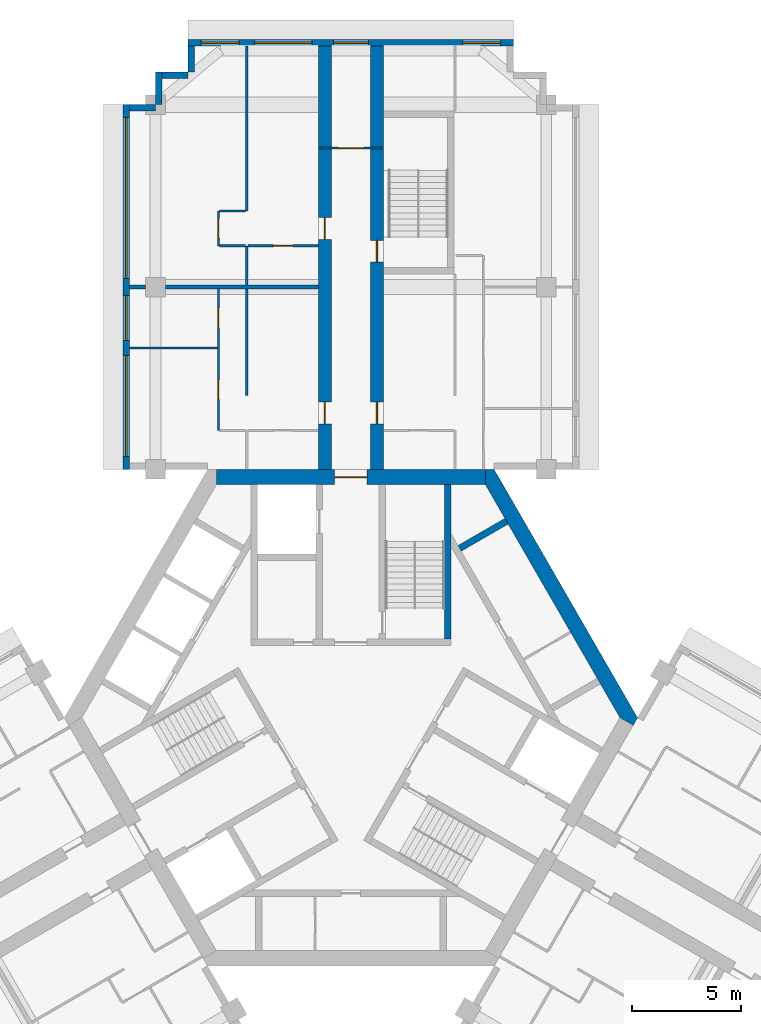
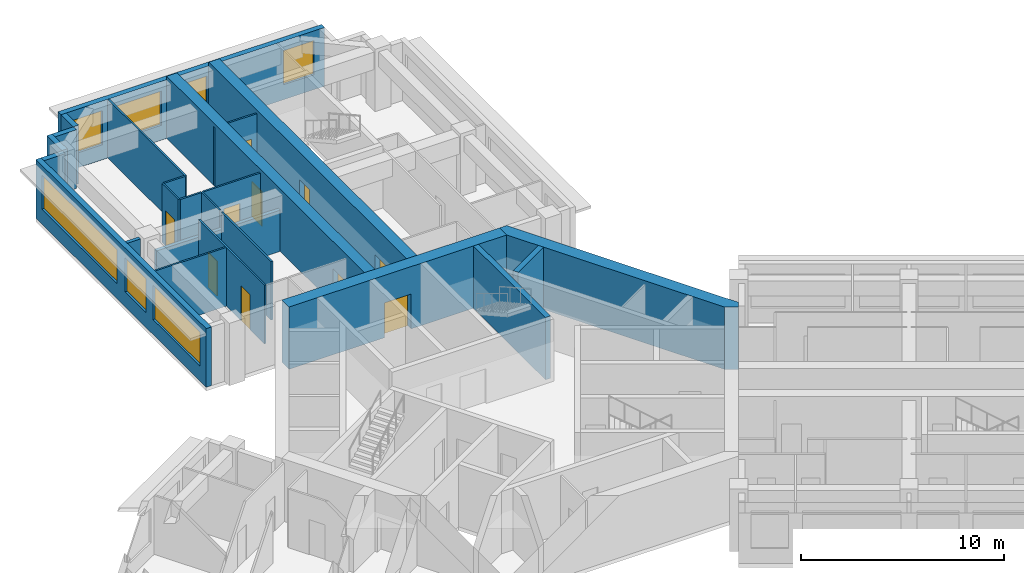
# One storey, part 7 of 10: 24 walls, 10 doors, 7 windows, 17 openings.
"""IFC4 building model written with IfcOpenShell, lengths in metres."""

from ifc_helpers import new_model, si_unit, direction, frame, frame_2d, origin, place, context, subcontext, project, spatial, polyline, rectangle, outline, extrude, material, layer, layer_set, type_object, element, fill, save


model = new_model("IFC4")

# Units and contexts
model_context = context("Model", 3, precision=1e-05, world=origin(), true_north=direction((0.0, 1.0)))
body_context = subcontext(model_context, "Body", "Model", "MODEL_VIEW")
ifc_project = project(units=[si_unit("LENGTHUNIT", "METRE"), si_unit("AREAUNIT", "SQUARE_METRE"), si_unit("VOLUMEUNIT", "CUBIC_METRE"), si_unit("PLANEANGLEUNIT", "RADIAN"), si_unit("MASSUNIT", "GRAM", prefix="KILO")], contexts=[model_context])

# Site, building, storey
site_placement = place(None, origin())
site = spatial("IfcSite", under=ifc_project, at=site_placement, CompositionType="ELEMENT")
building_placement = place(site_placement, origin())
building = spatial("IfcBuilding", under=site, at=building_placement, Name="Impinga Residences", CompositionType="ELEMENT")
storey_placement = place(building_placement, frame((0.0, 0.0, 222.25)))
storey = spatial("IfcBuildingStorey", under=building, at=storey_placement, Name="L55", CompositionType="ELEMENT", Elevation=222.25)

# Wall, openings, doors
ifc_material_1 = material(Name="Concrete C60/75", Category="concrete")
ifc_layer_1 = layer(ifc_material_1, 0.60009765625)
ifc_layer_set_1 = layer_set([ifc_layer_1], Name="Concrete C60/75")
wall_type_1 = type_object("IfcWallType", Name="BW3 corridor buttress wall, L46 to L73 600", PredefinedType="SHEAR", material=ifc_layer_set_1)
wall_1_placement = place(storey_placement, frame((-1.199951171875, 11.08154296875, 0.0), z_axis=(0.0, 0.0, 1.0), x_axis=(0.0, 1.0, 0.0)))
wall_1 = element("IfcWall", 1, at=wall_1_placement, inside=storey, type_object=wall_type_1, Name="Corridor wall BW3 NC L55", PredefinedType="SHEAR", context=body_context, shape_type="SweptSolid", body=[
    extrude(rectangle(XDim=19.85009765625, YDim=0.60009765625, at=frame_2d((9.925048828125, 0.0))), origin(), (0.0, 0.0, 1.0), 3.75),
])
opening_1_placement = place(wall_1_placement, frame((2.449951171875, 0.0, 0.0)))
opening_1 = element("IfcOpeningElement", 2, at=opening_1_placement, cuts=wall_1, Name="Opening D1", PredefinedType="OPENING", context=body_context, shape_type="SweptSolid", body=[
    extrude(rectangle(XDim=1.0, YDim=2.10009765625, at=frame_2d((0.5, 1.050048828125))), frame((0.0, 0.31005859375, 0.0), z_axis=(0.0, -1.0, 0.0), x_axis=(1.0, 0.0, 0.0)), (0.0, 0.0, 1.0), 0.6201171875),
])
opening_2_placement = place(wall_1_placement, frame((10.949951171875, 0.0, 0.0)))
opening_2 = element("IfcOpeningElement", 3, at=opening_2_placement, cuts=wall_1, Name="Opening D1", PredefinedType="OPENING", context=body_context, shape_type="SweptSolid", body=[
    extrude(rectangle(XDim=1.0, YDim=2.10009765625, at=frame_2d((0.5, 1.050048828125))), frame((0.0, 0.31005859375, 0.0), z_axis=(0.0, -1.0, 0.0), x_axis=(1.0, 0.0, 0.0)), (0.0, 0.0, 1.0), 0.6201171875),
])
ifc_material_2 = material(Name="Timber door set", Category="wood")
door_type_1 = type_object("IfcDoorType", Name="D1 apartment entrance door 1000x2100", OperationType="SINGLE_SWING_LEFT", PredefinedType="DOOR", material=ifc_material_2)
door_1_placement = place(opening_1_placement, origin())
door_1 = element("IfcDoor", 4, at=door_1_placement, inside=storey, type_object=door_type_1, Name="Apartment L55-NA1 entrance", OperationType="SINGLE_SWING_LEFT", OverallHeight=2.10009765625, OverallWidth=1.0, PredefinedType="DOOR", context=body_context, shape_type="SweptSolid", body=[
    extrude(rectangle(XDim=1.0, YDim=2.10009765625, at=frame_2d((0.5, 1.050048828125))), frame((0.0, 0.02490234375, 0.0), z_axis=(0.0, -1.0, 0.0), x_axis=(1.0, 0.0, 0.0)), (0.0, 0.0, 1.0), 0.050048828125),
])
fill(opening_1, door_1)
door_2_placement = place(opening_2_placement, origin())
door_2 = element("IfcDoor", 5, at=door_2_placement, inside=storey, type_object=door_type_1, Name="Apartment L55-NA2 entrance", OperationType="SINGLE_SWING_RIGHT", OverallHeight=2.10009765625, OverallWidth=1.0, PredefinedType="DOOR", context=body_context, shape_type="SweptSolid", body=[
    extrude(rectangle(XDim=1.0, YDim=2.10009765625, at=frame_2d((0.5, 1.050048828125))), frame((0.0, 0.02490234375, 0.0), z_axis=(0.0, -1.0, 0.0), x_axis=(1.0, 0.0, 0.0)), (0.0, 0.0, 1.0), 0.050048828125),
])
fill(opening_2, door_2)

wall_2_placement = place(storey_placement, frame((1.199951171875, 11.08154296875, 0.0), z_axis=(0.0, 0.0, 1.0), x_axis=(0.0, 1.0, 0.0)))
wall_2 = element("IfcWall", 6, at=wall_2_placement, inside=storey, type_object=wall_type_1, Name="Corridor wall BW3 ND L55", PredefinedType="SHEAR", context=body_context, shape_type="SweptSolid", body=[
    extrude(rectangle(XDim=19.85009765625, YDim=0.60009765625, at=frame_2d((9.925048828125, 0.0))), origin(), (0.0, 0.0, 1.0), 3.75),
])
opening_3_placement = place(wall_2_placement, frame((9.89990234375, 0.0, 0.0)))
opening_3 = element("IfcOpeningElement", 7, at=opening_3_placement, cuts=wall_2, Name="Opening D5", PredefinedType="OPENING", context=body_context, shape_type="SweptSolid", body=[
    extrude(rectangle(XDim=1.0, YDim=2.10009765625, at=frame_2d((0.5, 1.050048828125))), frame((0.0, 0.31005859375, 0.0), z_axis=(0.0, -1.0, 0.0), x_axis=(1.0, 0.0, 0.0)), (0.0, 0.0, 1.0), 0.6201171875),
])
opening_4_placement = place(wall_2_placement, frame((2.449951171875, 0.0, 0.0)))
opening_4 = element("IfcOpeningElement", 8, at=opening_4_placement, cuts=wall_2, Name="Opening D1", PredefinedType="OPENING", context=body_context, shape_type="SweptSolid", body=[
    extrude(rectangle(XDim=1.0, YDim=2.10009765625, at=frame_2d((0.5, 1.050048828125))), frame((0.0, 0.31005859375, 0.0), z_axis=(0.0, -1.0, 0.0), x_axis=(1.0, 0.0, 0.0)), (0.0, 0.0, 1.0), 0.6201171875),
])
door_3_placement = place(opening_4_placement, origin())
door_3 = element("IfcDoor", 9, at=door_3_placement, inside=storey, type_object=door_type_1, Name="Apartment L55-NF1 entrance", OperationType="SINGLE_SWING_LEFT", OverallHeight=2.10009765625, OverallWidth=1.0, PredefinedType="DOOR", context=body_context, shape_type="SweptSolid", body=[
    extrude(rectangle(XDim=1.0, YDim=2.10009765625, at=frame_2d((0.5, 1.050048828125))), frame((0.0, 0.02490234375, 0.0), z_axis=(0.0, -1.0, 0.0), x_axis=(1.0, 0.0, 0.0)), (0.0, 0.0, 1.0), 0.050048828125),
])
fill(opening_4, door_3)
door_type_2 = type_object("IfcDoorType", Name="D5 stair door 1000x2100", OperationType="SINGLE_SWING_LEFT", PredefinedType="DOOR", material=ifc_material_2)
door_4_placement = place(opening_3_placement, origin())
door_4 = element("IfcDoor", 10, at=door_4_placement, inside=storey, type_object=door_type_2, Name="Wing stair door N", OperationType="SINGLE_SWING_RIGHT", OverallHeight=2.10009765625, OverallWidth=1.0, PredefinedType="DOOR", context=body_context, shape_type="SweptSolid", body=[
    extrude(rectangle(XDim=1.0, YDim=2.10009765625, at=frame_2d((0.5, 1.050048828125))), frame((0.0, 0.02490234375, 0.0), z_axis=(0.0, -1.0, 0.0), x_axis=(1.0, 0.0, 0.0)), (0.0, 0.0, 1.0), 0.050048828125),
])
fill(opening_3, door_4)

# Wall, opening, door
ifc_material_3 = material(Name="Concrete blockwork", Category="masonry")
ifc_layer_2 = layer(ifc_material_3, 0.10009765625)
ifc_layer_set_2 = layer_set([ifc_layer_2], Name="CP1 core room partition, blockwork 100")
wall_type_2 = type_object("IfcWallType", Name="CP1 core room partition, blockwork 100", PredefinedType="PARTITIONING", material=ifc_layer_set_2)
wall_3_placement = place(storey_placement, frame((-1.5, 26.2314453125, 0.0), z_axis=(0.0, 0.0, 1.0), x_axis=(1.0, 0.0, 0.0)))
wall_3 = element("IfcWall", 11, at=wall_3_placement, inside=storey, type_object=wall_type_2, Name="Core room partition, blockwork L55:N:LNG", PredefinedType="PARTITIONING", context=body_context, shape_type="SweptSolid", body=[
    extrude(rectangle(XDim=3.0, YDim=0.10009765625, at=frame_2d((1.5, 0.0))), origin(), (0.0, 0.0, 1.0), 3.530029296875),
])
opening_5_placement = place(wall_3_placement, frame((0.89990234375, 0.0, 0.0)))
opening_5 = element("IfcOpeningElement", 12, at=opening_5_placement, cuts=wall_3, Name="Opening D3", PredefinedType="OPENING", context=body_context, shape_type="SweptSolid", body=[
    extrude(rectangle(XDim=1.199951171875, YDim=2.10009765625, at=frame_2d((0.60009765625, 1.050048828125))), frame((0.0, 0.06005859375, 0.0), z_axis=(0.0, -1.0, 0.0), x_axis=(1.0, 0.0, 0.0)), (0.0, 0.0, 1.0), 0.1201171875),
])
door_type_3 = type_object("IfcDoorType", Name="D3 room door, leaf and a half 1200x2100", OperationType="DOUBLE_SWING_LEFT", PredefinedType="DOOR", material=ifc_material_2)
door_5_placement = place(opening_5_placement, origin())
door_5 = element("IfcDoor", 13, at=door_5_placement, inside=storey, type_object=door_type_3, Name="Residents' lounge door N", OperationType="DOUBLE_SWING_LEFT", OverallHeight=2.10009765625, OverallWidth=1.199951171875, PredefinedType="DOOR", context=body_context, shape_type="SweptSolid", body=[
    extrude(rectangle(XDim=1.199951171875, YDim=2.10009765625, at=frame_2d((0.60009765625, 1.050048828125))), frame((0.0, 0.02490234375, 0.0), z_axis=(0.0, -1.0, 0.0), x_axis=(1.0, 0.0, 0.0)), (0.0, 0.0, 1.0), 0.050048828125),
])
fill(opening_5, door_5)

# Wall, openings, windows
ifc_material_4 = material(Name="Terracotta rainscreen on blockwork", Category="masonry")
ifc_layer_3 = layer(ifc_material_4, 0.300048828125)
ifc_layer_set_3 = layer_set([ifc_layer_3], Name="EW1 external wall, terracotta rainscreen on blockwork 300")
wall_type_3 = type_object("IfcWallType", Name="EW1 external wall, terracotta rainscreen on blockwork 300", PredefinedType="SOLIDWALL", material=ifc_layer_set_3)
wall_4_placement = place(storey_placement, frame((-10.35009765625, 11.431640625, 0.0), z_axis=(0.0, 0.0, 1.0), x_axis=(0.0, 1.0, 0.0)))
wall_4 = element("IfcWall", 14, at=wall_4_placement, inside=storey, type_object=wall_type_3, Name="External wall EW1 L55", PredefinedType="SOLIDWALL", context=body_context, shape_type="SweptSolid", body=[
    extrude(rectangle(XDim=16.7998046875, YDim=0.300048828125, at=frame_2d((8.39990234375, 0.0))), origin(), (0.0, 0.0, 1.0), 3.530029296875),
])
opening_6_placement = place(wall_4_placement, frame((0.60009765625, 0.0, 0.89990234375)))
opening_6 = element("IfcOpeningElement", 15, at=opening_6_placement, cuts=wall_4, Name="Opening W10", PredefinedType="OPENING", context=body_context, shape_type="SweptSolid", body=[
    extrude(rectangle(XDim=4.64990234375, YDim=2.050048828125, at=frame_2d((2.324951171875, 1.02490234375))), frame((0.0, 0.159912109375, 0.0), z_axis=(0.0, -1.0, 0.0), x_axis=(1.0, 0.0, 0.0)), (0.0, 0.0, 1.0), 0.320068359375),
])
opening_7_placement = place(wall_4_placement, frame((5.949951171875, 0.0, 0.89990234375)))
opening_7 = element("IfcOpeningElement", 16, at=opening_7_placement, cuts=wall_4, Name="Opening W14", PredefinedType="OPENING", context=body_context, shape_type="SweptSolid", body=[
    extrude(rectangle(XDim=2.050048828125, YDim=2.050048828125, at=frame_2d((1.02490234375, 1.02490234375))), frame((0.0, 0.159912109375, 0.0), z_axis=(0.0, -1.0, 0.0), x_axis=(1.0, 0.0, 0.0)), (0.0, 0.0, 1.0), 0.320068359375),
])
opening_8_placement = place(wall_4_placement, frame((8.800048828125, 0.0, 0.89990234375)))
opening_8 = element("IfcOpeningElement", 17, at=opening_8_placement, cuts=wall_4, Name="Opening W12", PredefinedType="OPENING", context=body_context, shape_type="SweptSolid", body=[
    extrude(rectangle(XDim=7.39990234375, YDim=2.050048828125, at=frame_2d((3.699951171875, 1.02490234375))), frame((0.0, 0.159912109375, 0.0), z_axis=(0.0, -1.0, 0.0), x_axis=(1.0, 0.0, 0.0)), (0.0, 0.0, 1.0), 0.320068359375),
])
ifc_material_5 = material(Name="Aluminium window, clear double glazing", Category="aluminium")
window_type_1 = type_object("IfcWindowType", Name="W10 ribbon window 4650x2050", PartitioningType="SINGLE_PANEL", PredefinedType="WINDOW", material=ifc_material_5)
window_1_placement = place(opening_6_placement, origin())
window_1 = element("IfcWindow", 18, at=window_1_placement, inside=storey, type_object=window_type_1, Name="Window L55", OverallHeight=2.050048828125, OverallWidth=4.64990234375, PartitioningType="SINGLE_PANEL", PredefinedType="WINDOW", context=body_context, shape_type="SweptSolid", body=[
    extrude(rectangle(XDim=4.64990234375, YDim=2.050048828125, at=frame_2d((2.324951171875, 1.02490234375))), frame((0.0, 0.030029296875, 0.0), z_axis=(0.0, -1.0, 0.0), x_axis=(1.0, 0.0, 0.0)), (0.0, 0.0, 1.0), 0.06005859375),
])
fill(opening_6, window_1)
window_type_2 = type_object("IfcWindowType", Name="W12 ribbon window 7400x2050", PartitioningType="SINGLE_PANEL", PredefinedType="WINDOW", material=ifc_material_5)
window_2_placement = place(opening_8_placement, origin())
window_2 = element("IfcWindow", 19, at=window_2_placement, inside=storey, type_object=window_type_2, Name="Window L55", OverallHeight=2.050048828125, OverallWidth=7.39990234375, PartitioningType="SINGLE_PANEL", PredefinedType="WINDOW", context=body_context, shape_type="SweptSolid", body=[
    extrude(rectangle(XDim=7.39990234375, YDim=2.050048828125, at=frame_2d((3.699951171875, 1.02490234375))), frame((0.0, 0.030029296875, 0.0), z_axis=(0.0, -1.0, 0.0), x_axis=(1.0, 0.0, 0.0)), (0.0, 0.0, 1.0), 0.06005859375),
])
fill(opening_8, window_2)
window_type_3 = type_object("IfcWindowType", Name="W14 ribbon window 2050x2050", PartitioningType="SINGLE_PANEL", PredefinedType="WINDOW", material=ifc_material_5)
window_3_placement = place(opening_7_placement, origin())
window_3 = element("IfcWindow", 20, at=window_3_placement, inside=storey, type_object=window_type_3, Name="Window L55", OverallHeight=2.050048828125, OverallWidth=2.050048828125, PartitioningType="SINGLE_PANEL", PredefinedType="WINDOW", context=body_context, shape_type="SweptSolid", body=[
    extrude(rectangle(XDim=2.050048828125, YDim=2.050048828125, at=frame_2d((1.02490234375, 1.02490234375))), frame((0.0, 0.030029296875, 0.0), z_axis=(0.0, -1.0, 0.0), x_axis=(1.0, 0.0, 0.0)), (0.0, 0.0, 1.0), 0.06005859375),
])
fill(opening_7, window_3)

# Walls
wall_5_placement = place(storey_placement, frame((-10.199951171875, 28.08154296875, 0.0), z_axis=(0.0, 0.0, 1.0), x_axis=(1.0, 0.0, 0.0)))
element("IfcWall", 21, at=wall_5_placement, inside=storey, type_object=wall_type_3, Name="External wall EW1 L55", PredefinedType="SOLIDWALL", context=body_context, shape_type="SweptSolid", body=[
    extrude(rectangle(XDim=1.199951171875, YDim=0.300048828125, at=frame_2d((0.60009765625, 0.0))), origin(), (0.0, 0.0, 1.0), 3.530029296875),
])
wall_6_placement = place(storey_placement, frame((-8.85009765625, 28.236572265625, 0.0), z_axis=(0.0, 0.0, 1.0), x_axis=(0.0, 1.0, 0.0)))
element("IfcWall", 22, at=wall_6_placement, inside=storey, type_object=wall_type_3, Name="External wall EW1 L55", PredefinedType="SOLIDWALL", context=body_context, shape_type="SweptSolid", body=[
    extrude(rectangle(XDim=1.494873046875, YDim=0.300048828125, at=frame_2d((0.74755859375, 0.0))), origin(), (0.0, 0.0, 1.0), 3.530029296875),
])
wall_7_placement = place(storey_placement, frame((-8.699951171875, 29.58154296875, 0.0), z_axis=(0.0, 0.0, 1.0), x_axis=(1.0, 0.0, 0.0)))
element("IfcWall", 23, at=wall_7_placement, inside=storey, type_object=wall_type_3, Name="External wall EW1 L55", PredefinedType="SOLIDWALL", context=body_context, shape_type="SweptSolid", body=[
    extrude(rectangle(XDim=1.199951171875, YDim=0.300048828125, at=frame_2d((0.60009765625, 0.0))), origin(), (0.0, 0.0, 1.0), 3.530029296875),
])
wall_8_placement = place(storey_placement, frame((-7.35009765625, 29.736572265625, 0.0), z_axis=(0.0, 0.0, 1.0), x_axis=(0.0, 1.0, 0.0)))
element("IfcWall", 24, at=wall_8_placement, inside=storey, type_object=wall_type_3, Name="External wall EW1 L55", PredefinedType="SOLIDWALL", context=body_context, shape_type="SweptSolid", body=[
    extrude(rectangle(XDim=1.195068359375, YDim=0.300048828125, at=frame_2d((0.59765625, 0.0))), origin(), (0.0, 0.0, 1.0), 3.530029296875),
])

# Wall, openings, windows
wall_9_placement = place(storey_placement, frame((-7.5, 31.08154296875, 0.0), z_axis=(0.0, 0.0, 1.0), x_axis=(1.0, 0.0, 0.0)))
wall_9 = element("IfcWall", 25, at=wall_9_placement, inside=storey, type_object=wall_type_3, Name="External wall EW1 L55", PredefinedType="SOLIDWALL", context=body_context, shape_type="SweptSolid", body=[
    extrude(rectangle(XDim=15.0, YDim=0.300048828125, at=frame_2d((7.5, 0.0))), origin(), (0.0, 0.0, 1.0), 3.530029296875),
])
opening_9_placement = place(wall_9_placement, frame((0.60009765625, 0.0, 0.89990234375)))
opening_9 = element("IfcOpeningElement", 26, at=opening_9_placement, cuts=wall_9, Name="Opening W1", PredefinedType="OPENING", context=body_context, shape_type="SweptSolid", body=[
    extrude(rectangle(XDim=1.75, YDim=2.050048828125, at=frame_2d((0.875, 1.02490234375))), frame((0.0, 0.159912109375, 0.0), z_axis=(0.0, -1.0, 0.0), x_axis=(1.0, 0.0, 0.0)), (0.0, 0.0, 1.0), 0.320068359375),
])
opening_10_placement = place(wall_9_placement, frame((3.050048828125, 0.0, 0.89990234375)))
opening_10 = element("IfcOpeningElement", 27, at=opening_10_placement, cuts=wall_9, Name="Opening W18", PredefinedType="OPENING", context=body_context, shape_type="SweptSolid", body=[
    extrude(rectangle(XDim=2.64990234375, YDim=2.050048828125, at=frame_2d((1.324951171875, 1.02490234375))), frame((0.0, 0.159912109375, 0.0), z_axis=(0.0, -1.0, 0.0), x_axis=(1.0, 0.0, 0.0)), (0.0, 0.0, 1.0), 0.320068359375),
])
opening_11_placement = place(wall_9_placement, frame((6.699951171875, 0.0, 0.89990234375)))
opening_11 = element("IfcOpeningElement", 28, at=opening_11_placement, cuts=wall_9, Name="Opening W19", PredefinedType="OPENING", context=body_context, shape_type="SweptSolid", body=[
    extrude(rectangle(XDim=1.60009765625, YDim=2.050048828125, at=frame_2d((0.800048828125, 1.02490234375))), frame((0.0, 0.159912109375, 0.0), z_axis=(0.0, -1.0, 0.0), x_axis=(1.0, 0.0, 0.0)), (0.0, 0.0, 1.0), 0.320068359375),
])
opening_12_placement = place(wall_9_placement, frame((12.64990234375, 0.0, 0.89990234375)))
opening_12 = element("IfcOpeningElement", 29, at=opening_12_placement, cuts=wall_9, Name="Opening W1", PredefinedType="OPENING", context=body_context, shape_type="SweptSolid", body=[
    extrude(rectangle(XDim=1.75, YDim=2.050048828125, at=frame_2d((0.875, 1.02490234375))), frame((0.0, 0.159912109375, 0.0), z_axis=(0.0, -1.0, 0.0), x_axis=(1.0, 0.0, 0.0)), (0.0, 0.0, 1.0), 0.320068359375),
])
window_type_4 = type_object("IfcWindowType", Name="W1 ribbon window 1750x2050", PartitioningType="SINGLE_PANEL", PredefinedType="WINDOW", material=ifc_material_5)
window_4_placement = place(opening_9_placement, origin())
window_4 = element("IfcWindow", 30, at=window_4_placement, inside=storey, type_object=window_type_4, Name="Window L55", OverallHeight=2.050048828125, OverallWidth=1.75, PartitioningType="SINGLE_PANEL", PredefinedType="WINDOW", context=body_context, shape_type="SweptSolid", body=[
    extrude(rectangle(XDim=1.75, YDim=2.050048828125, at=frame_2d((0.875, 1.02490234375))), frame((0.0, 0.030029296875, 0.0), z_axis=(0.0, -1.0, 0.0), x_axis=(1.0, 0.0, 0.0)), (0.0, 0.0, 1.0), 0.06005859375),
])
fill(opening_9, window_4)
window_5_placement = place(opening_12_placement, origin())
window_5 = element("IfcWindow", 31, at=window_5_placement, inside=storey, type_object=window_type_4, Name="Window L55", OverallHeight=2.050048828125, OverallWidth=1.75, PartitioningType="SINGLE_PANEL", PredefinedType="WINDOW", context=body_context, shape_type="SweptSolid", body=[
    extrude(rectangle(XDim=1.75, YDim=2.050048828125, at=frame_2d((0.875, 1.02490234375))), frame((0.0, 0.030029296875, 0.0), z_axis=(0.0, -1.0, 0.0), x_axis=(1.0, 0.0, 0.0)), (0.0, 0.0, 1.0), 0.06005859375),
])
fill(opening_12, window_5)
window_type_5 = type_object("IfcWindowType", Name="W18 ribbon window 2650x2050", PartitioningType="SINGLE_PANEL", PredefinedType="WINDOW", material=ifc_material_5)
window_6_placement = place(opening_10_placement, origin())
window_6 = element("IfcWindow", 32, at=window_6_placement, inside=storey, type_object=window_type_5, Name="Window L55", OverallHeight=2.050048828125, OverallWidth=2.64990234375, PartitioningType="SINGLE_PANEL", PredefinedType="WINDOW", context=body_context, shape_type="SweptSolid", body=[
    extrude(rectangle(XDim=2.64990234375, YDim=2.050048828125, at=frame_2d((1.324951171875, 1.02490234375))), frame((0.0, 0.030029296875, 0.0), z_axis=(0.0, -1.0, 0.0), x_axis=(1.0, 0.0, 0.0)), (0.0, 0.0, 1.0), 0.06005859375),
])
fill(opening_10, window_6)
window_type_6 = type_object("IfcWindowType", Name="W19 ribbon window 1600x2050", PartitioningType="SINGLE_PANEL", PredefinedType="WINDOW", material=ifc_material_5)
window_7_placement = place(opening_11_placement, origin())
window_7 = element("IfcWindow", 33, at=window_7_placement, inside=storey, type_object=window_type_6, Name="Window L55", OverallHeight=2.050048828125, OverallWidth=1.60009765625, PartitioningType="SINGLE_PANEL", PredefinedType="WINDOW", context=body_context, shape_type="SweptSolid", body=[
    extrude(rectangle(XDim=1.60009765625, YDim=2.050048828125, at=frame_2d((0.800048828125, 1.02490234375))), frame((0.0, 0.030029296875, 0.0), z_axis=(0.0, -1.0, 0.0), x_axis=(1.0, 0.0, 0.0)), (0.0, 0.0, 1.0), 0.06005859375),
])
fill(opening_11, window_7)

# Wall
ifc_material_6 = material(Name="Gypsum board on steel studs", Category="steel")
ifc_layer_4 = layer(ifc_material_6, 0.10009765625)
ifc_layer_set_4 = layer_set([ifc_layer_4], Name="Gypsum board on steel studs")
wall_type_4 = type_object("IfcWallType", Name="IP1 partition 100", PredefinedType="PARTITIONING", material=ifc_layer_set_4)
wall_10_placement = place(storey_placement, frame((-4.800048828125, 14.83154296875, 0.0), z_axis=(0.0, 0.0, 1.0), x_axis=(0.0, 1.0, 0.0)))
element("IfcWall", 34, at=wall_10_placement, inside=storey, type_object=wall_type_4, Name="Partition L55-NA1:DIV1", PredefinedType="PARTITIONING", context=body_context, shape_type="SweptSolid", body=[
    extrude(rectangle(XDim=4.89990234375, YDim=0.10009765625, at=frame_2d((2.449951171875, 0.0))), origin(), (0.0, 0.0, 1.0), 3.530029296875),
])

# Wall, openings, doors
wall_11_placement = place(storey_placement, frame((-6.10009765625, 13.2314453125, 0.0), z_axis=(0.0, 0.0, 1.0), x_axis=(0.0, 1.0, 0.0)))
wall_11 = element("IfcWall", 35, at=wall_11_placement, inside=storey, type_object=wall_type_4, Name="Partition L55-NA1:STRIP", PredefinedType="PARTITIONING", context=body_context, shape_type="SweptSolid", body=[
    extrude(rectangle(XDim=6.5, YDim=0.10009765625, at=frame_2d((3.25, 0.0))), origin(), (0.0, 0.0, 1.0), 3.530029296875),
])
opening_13_placement = place(wall_11_placement, frame((1.425048828125, 0.0, 0.0)))
opening_13 = element("IfcOpeningElement", 36, at=opening_13_placement, cuts=wall_11, Name="Opening D2", PredefinedType="OPENING", context=body_context, shape_type="SweptSolid", body=[
    extrude(rectangle(XDim=0.89990234375, YDim=2.10009765625, at=frame_2d((0.449951171875, 1.050048828125))), frame((0.0, 0.06005859375, 0.0), z_axis=(0.0, -1.0, 0.0), x_axis=(1.0, 0.0, 0.0)), (0.0, 0.0, 1.0), 0.1201171875),
])
opening_14_placement = place(wall_11_placement, frame((4.72509765625, 0.0, 0.0)))
opening_14 = element("IfcOpeningElement", 37, at=opening_14_placement, cuts=wall_11, Name="Opening D2", PredefinedType="OPENING", context=body_context, shape_type="SweptSolid", body=[
    extrude(rectangle(XDim=0.89990234375, YDim=2.10009765625, at=frame_2d((0.449951171875, 1.050048828125))), frame((0.0, 0.06005859375, 0.0), z_axis=(0.0, -1.0, 0.0), x_axis=(1.0, 0.0, 0.0)), (0.0, 0.0, 1.0), 0.1201171875),
])
door_type_4 = type_object("IfcDoorType", Name="D2 internal door 900x2100", OperationType="SINGLE_SWING_LEFT", PredefinedType="DOOR", material=ifc_material_2)
door_6_placement = place(opening_13_placement, origin())
door_6 = element("IfcDoor", 38, at=door_6_placement, inside=storey, type_object=door_type_4, Name="Apartment L55-NA1 room door", OperationType="SINGLE_SWING_LEFT", OverallHeight=2.10009765625, OverallWidth=0.89990234375, PredefinedType="DOOR", context=body_context, shape_type="SweptSolid", body=[
    extrude(rectangle(XDim=0.89990234375, YDim=2.10009765625, at=frame_2d((0.449951171875, 1.050048828125))), frame((0.0, 0.02490234375, 0.0), z_axis=(0.0, -1.0, 0.0), x_axis=(1.0, 0.0, 0.0)), (0.0, 0.0, 1.0), 0.050048828125),
])
fill(opening_13, door_6)
door_7_placement = place(opening_14_placement, origin())
door_7 = element("IfcDoor", 39, at=door_7_placement, inside=storey, type_object=door_type_4, Name="Apartment L55-NA1 room door", OperationType="SINGLE_SWING_RIGHT", OverallHeight=2.10009765625, OverallWidth=0.89990234375, PredefinedType="DOOR", context=body_context, shape_type="SweptSolid", body=[
    extrude(rectangle(XDim=0.89990234375, YDim=2.10009765625, at=frame_2d((0.449951171875, 1.050048828125))), frame((0.0, 0.02490234375, 0.0), z_axis=(0.0, -1.0, 0.0), x_axis=(1.0, 0.0, 0.0)), (0.0, 0.0, 1.0), 0.050048828125),
])
fill(opening_14, door_7)

# Walls
wall_12_placement = place(storey_placement, frame((-6.14990234375, 17.031494140625, 0.0), z_axis=(0.0, 0.0, 1.0), x_axis=(-1.0, 0.0, 0.0)))
element("IfcWall", 40, at=wall_12_placement, inside=storey, type_object=wall_type_4, Name="Partition L55-NA1:OB1", PredefinedType="PARTITIONING", context=body_context, shape_type="SweptSolid", body=[
    extrude(rectangle(XDim=4.050048828125, YDim=0.10009765625, at=frame_2d((2.02490234375, 0.0))), origin(), (0.0, 0.0, 1.0), 3.530029296875),
])
wall_13_placement = place(storey_placement, frame((-4.800048828125, 19.931640625, 0.0), z_axis=(0.0, 0.0, 1.0), x_axis=(0.0, 1.0, 0.0)))
element("IfcWall", 41, at=wall_13_placement, inside=storey, type_object=wall_type_4, Name="Partition L55-NA2:DIV0", PredefinedType="PARTITIONING", context=body_context, shape_type="SweptSolid", body=[
    extrude(rectangle(XDim=1.7998046875, YDim=0.10009765625, at=frame_2d((0.89990234375, 0.0))), origin(), (0.0, 0.0, 1.0), 3.530029296875),
])
wall_14_placement = place(storey_placement, frame((-4.800048828125, 23.33154296875, 0.0), z_axis=(0.0, 0.0, 1.0), x_axis=(0.0, 1.0, 0.0)))
element("IfcWall", 42, at=wall_14_placement, inside=storey, type_object=wall_type_4, Name="Partition L55-NA2:DIV1", PredefinedType="PARTITIONING", context=body_context, shape_type="SweptSolid", body=[
    extrude(rectangle(XDim=7.60009765625, YDim=0.10009765625, at=frame_2d((3.800048828125, 0.0))), origin(), (0.0, 0.0, 1.0), 3.530029296875),
])

# Wall, opening, door
wall_15_placement = place(storey_placement, frame((-6.10009765625, 21.7314453125, 0.0), z_axis=(0.0, 0.0, 1.0), x_axis=(0.0, 1.0, 0.0)))
wall_15 = element("IfcWall", 43, at=wall_15_placement, inside=storey, type_object=wall_type_4, Name="Partition L55-NA2:STRIP", PredefinedType="PARTITIONING", context=body_context, shape_type="SweptSolid", body=[
    extrude(rectangle(XDim=1.60009765625, YDim=0.10009765625, at=frame_2d((0.800048828125, 0.0))), origin(), (0.0, 0.0, 1.0), 3.530029296875),
])
opening_15_placement = place(wall_15_placement, frame((0.35009765625, 0.0, 0.0)))
opening_15 = element("IfcOpeningElement", 44, at=opening_15_placement, cuts=wall_15, Name="Opening D2", PredefinedType="OPENING", context=body_context, shape_type="SweptSolid", body=[
    extrude(rectangle(XDim=0.89990234375, YDim=2.10009765625, at=frame_2d((0.449951171875, 1.050048828125))), frame((0.0, 0.06005859375, 0.0), z_axis=(0.0, -1.0, 0.0), x_axis=(1.0, 0.0, 0.0)), (0.0, 0.0, 1.0), 0.1201171875),
])
door_8_placement = place(opening_15_placement, origin())
door_8 = element("IfcDoor", 45, at=door_8_placement, inside=storey, type_object=door_type_4, Name="Apartment L55-NA2 room door", OperationType="SINGLE_SWING_LEFT", OverallHeight=2.10009765625, OverallWidth=0.89990234375, PredefinedType="DOOR", context=body_context, shape_type="SweptSolid", body=[
    extrude(rectangle(XDim=0.89990234375, YDim=2.10009765625, at=frame_2d((0.449951171875, 1.050048828125))), frame((0.0, 0.02490234375, 0.0), z_axis=(0.0, -1.0, 0.0), x_axis=(1.0, 0.0, 0.0)), (0.0, 0.0, 1.0), 0.050048828125),
])
fill(opening_15, door_8)

# Walls
for number, where, z_axis, x_axis, name in (
    (46, (-4.85009765625, 21.7314453125, 0.0), (0.0, 0.0, 1.0), (-1.0, 0.0, 0.0), "Partition L55-NA2:SE0"),
    (47, (-4.85009765625, 23.33154296875, 0.0), (0.0, 0.0, 1.0), (-1.0, 0.0, 0.0), "Partition L55-NA2:SE1"),
):
    element("IfcWall", number, at=place(storey_placement, frame(where, z_axis=z_axis, x_axis=x_axis)), inside=storey, type_object=wall_type_4, Name=name, PredefinedType="PARTITIONING", context=body_context, shape_type="SweptSolid", body=[
        extrude(rectangle(XDim=1.199951171875, YDim=0.10009765625, at=frame_2d((0.60009765625, 0.0))), origin(), (0.0, 0.0, 1.0), 3.530029296875),
    ])

# Wall, opening, door
wall_16_placement = place(storey_placement, frame((-1.5, 21.7314453125, 0.0), z_axis=(0.0, 0.0, 1.0), x_axis=(-1.0, 0.0, 0.0)))
wall_16 = element("IfcWall", 48, at=wall_16_placement, inside=storey, type_object=wall_type_4, Name="Partition L55-NA2:IB1", PredefinedType="PARTITIONING", context=body_context, shape_type="SweptSolid", body=[
    extrude(rectangle(XDim=3.25, YDim=0.10009765625, at=frame_2d((1.625, 0.0))), origin(), (0.0, 0.0, 1.0), 3.530029296875),
])
opening_16_placement = place(wall_16_placement, frame((1.175048828125, 0.0, 0.0)))
opening_16 = element("IfcOpeningElement", 49, at=opening_16_placement, cuts=wall_16, Name="Opening D2", PredefinedType="OPENING", context=body_context, shape_type="SweptSolid", body=[
    extrude(rectangle(XDim=0.89990234375, YDim=2.10009765625, at=frame_2d((0.449951171875, 1.050048828125))), frame((0.0, 0.06005859375, 0.0), z_axis=(0.0, -1.0, 0.0), x_axis=(1.0, 0.0, 0.0)), (0.0, 0.0, 1.0), 0.1201171875),
])
door_9_placement = place(opening_16_placement, origin())
door_9 = element("IfcDoor", 50, at=door_9_placement, inside=storey, type_object=door_type_4, Name="Apartment L55-NA2 bathroom door", OperationType="SINGLE_SWING_LEFT", OverallHeight=2.10009765625, OverallWidth=0.89990234375, PredefinedType="DOOR", context=body_context, shape_type="SweptSolid", body=[
    extrude(rectangle(XDim=0.89990234375, YDim=2.10009765625, at=frame_2d((0.449951171875, 1.050048828125))), frame((0.0, 0.02490234375, 0.0), z_axis=(0.0, -1.0, 0.0), x_axis=(1.0, 0.0, 0.0)), (0.0, 0.0, 1.0), 0.050048828125),
])
fill(opening_16, door_9)

# Walls
ifc_layer_5 = layer(ifc_material_3, 0.199951171875)
ifc_layer_set_5 = layer_set([ifc_layer_5], Name="PW1 party wall between apartments 200")
wall_type_5 = type_object("IfcWallType", Name="PW1 party wall between apartments 200", PredefinedType="SOLIDWALL", material=ifc_layer_set_5)
wall_17_placement = place(storey_placement, frame((-1.5, 19.83154296875, 0.0), z_axis=(0.0, 0.0, 1.0), x_axis=(-1.0, 0.0, 0.0)))
element("IfcWall", 51, at=wall_17_placement, inside=storey, type_object=wall_type_5, Name="Party wall between apartments L55-NA1:PARTY", PredefinedType="SOLIDWALL", context=body_context, shape_type="SweptSolid", body=[
    extrude(rectangle(XDim=7.050048828125, YDim=0.199951171875, at=frame_2d((3.52490234375, 0.0))), origin(), (0.0, 0.0, 1.0), 2.47998046875),
])
wall_18_placement = place(storey_placement, frame((-9.449951171875, 19.83154296875, 0.0), z_axis=(0.0, 0.0, 1.0), x_axis=(-1.0, 0.0, 0.0)))
element("IfcWall", 52, at=wall_18_placement, inside=storey, type_object=wall_type_5, Name="Party wall between apartments L55-NA1:PARTYb", PredefinedType="SOLIDWALL", context=body_context, shape_type="SweptSolid", body=[
    extrude(rectangle(XDim=0.75, YDim=0.199951171875, at=frame_2d((0.375, 0.0))), origin(), (0.0, 0.0, 1.0), 3.530029296875),
])

# Wall, opening, door
ifc_layer_6 = layer(ifc_material_1, 0.699951171875)
ifc_layer_set_6 = layer_set([ifc_layer_6], Name="Concrete C60/75")
wall_type_6 = type_object("IfcWallType", Name="SW3 core wall 700", PredefinedType="SHEAR", material=ifc_layer_set_6)
wall_19_placement = place(storey_placement, frame((-6.19580078125, 11.08154296875, 0.0), z_axis=(0.0, 0.0, 1.0), x_axis=(1.0, 0.0, 0.0)))
wall_19 = element("IfcWall", 53, at=wall_19_placement, inside=storey, type_object=wall_type_6, Name="Core wall SW3 N:FACE L55", PredefinedType="SHEAR", context=body_context, shape_type="SweptSolid", body=[
    extrude(rectangle(XDim=12.3916015625, YDim=0.699951171875, at=frame_2d((6.19580078125, 0.0))), origin(), (0.0, 0.0, 1.0), 3.75),
])
opening_17_placement = place(wall_19_placement, frame((5.44580078125, 0.0, 0.0)))
opening_17 = element("IfcOpeningElement", 54, at=opening_17_placement, cuts=wall_19, Name="Opening D4", PredefinedType="OPENING", context=body_context, shape_type="SweptSolid", body=[
    extrude(rectangle(XDim=1.5, YDim=2.10009765625, at=frame_2d((0.75, 1.050048828125))), frame((0.0, 0.35986328125, 0.0), z_axis=(0.0, -1.0, 0.0), x_axis=(1.0, 0.0, 0.0)), (0.0, 0.0, 1.0), 0.719970703125),
])
door_type_5 = type_object("IfcDoorType", Name="D4 lobby door pair 1500x2100", OperationType="DOUBLE_DOOR_DOUBLE_SWING", PredefinedType="DOOR", material=ifc_material_2)
door_10_placement = place(opening_17_placement, origin())
door_10 = element("IfcDoor", 55, at=door_10_placement, inside=storey, type_object=door_type_5, Name="Lobby door N", OperationType="DOUBLE_DOOR_DOUBLE_SWING", OverallHeight=2.10009765625, OverallWidth=1.5, PredefinedType="DOOR", context=body_context, shape_type="SweptSolid", body=[
    extrude(rectangle(XDim=1.5, YDim=2.10009765625, at=frame_2d((0.75, 1.050048828125))), frame((0.0, 0.02490234375, 0.0), z_axis=(0.0, -1.0, 0.0), x_axis=(1.0, 0.0, 0.0)), (0.0, 0.0, 1.0), 0.050048828125),
])
fill(opening_17, door_10)

# Walls
wall_20_placement = place(storey_placement, origin())
element("IfcWall", 56, at=wall_20_placement, inside=storey, type_object=wall_type_6, Name="Core wall SW3 W:EXPOSED L55", PredefinedType="SHEAR", context=body_context, shape_type="SweptSolid", body=[
    extrude(outline(polyline([(13.199951171875, 0.0), (6.60009765625, 11.431640625), (6.19580078125, 11.431640625), (6.19580078125, 10.7314453125), (12.3916015625, 0.0), (12.998046875, -0.35009765625), (13.199951171875, 0.0)])), origin(), (0.0, 0.0, 1.0), 3.75),
])
ifc_material_7 = material(Name="Concrete C70/85", Category="concrete")
ifc_layer_7 = layer(ifc_material_7, 0.300048828125)
ifc_layer_set_7 = layer_set([ifc_layer_7], Name="Concrete C70/85")
wall_type_7 = type_object("IfcWallType", Name="SW5 core inner wall, stairs, shafts and lobbies 300", PredefinedType="SHEAR", material=ifc_layer_set_7)
wall_21_placement = place(storey_placement, frame((4.449951171875, 3.6298828125, 0.0), z_axis=(0.0, 0.0, 1.0), x_axis=(0.0, 1.0, 0.0)))
element("IfcWall", 57, at=wall_21_placement, inside=storey, type_object=wall_type_7, Name="Core wall SW5 N:ST-OUT L55", PredefinedType="SHEAR", context=body_context, shape_type="SweptSolid", body=[
    extrude(rectangle(XDim=7.1015625, YDim=0.300048828125, at=frame_2d((3.55078125, 0.0))), origin(), (0.0, 0.0, 1.0), 3.75),
])
wall_22_placement = place(storey_placement, frame((5.003662109375, 7.79638671875, 0.0), z_axis=(0.0, 0.0, 1.0), x_axis=(0.866022959057, 0.500004234368, 0.0)))
element("IfcWall", 58, at=wall_22_placement, inside=storey, type_object=wall_type_7, Name="Core wall SW5 W:BANK-L L55", PredefinedType="SHEAR", context=body_context, shape_type="SweptSolid", body=[
    extrude(rectangle(XDim=2.5, YDim=0.300048828125, at=frame_2d((1.25, 0.0))), origin(), (0.0, 0.0, 1.0), 3.75),
])

save(model, "model.ifc")
